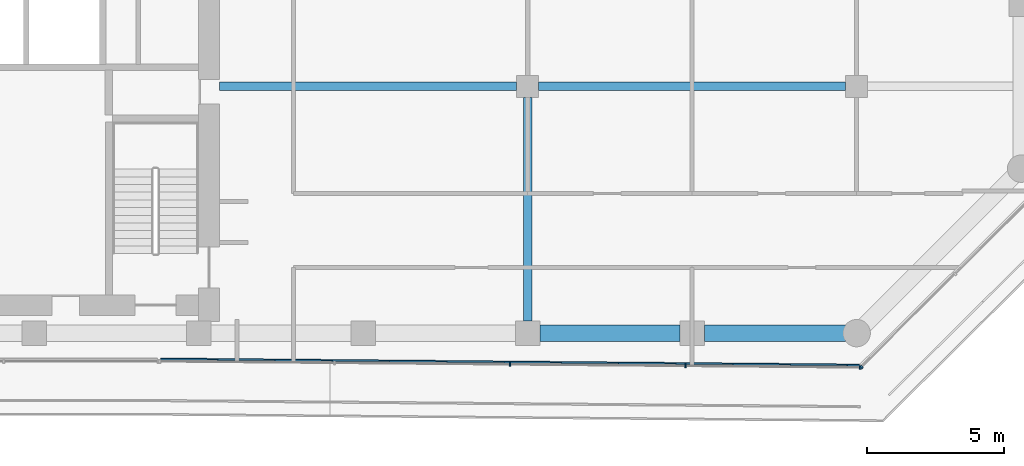
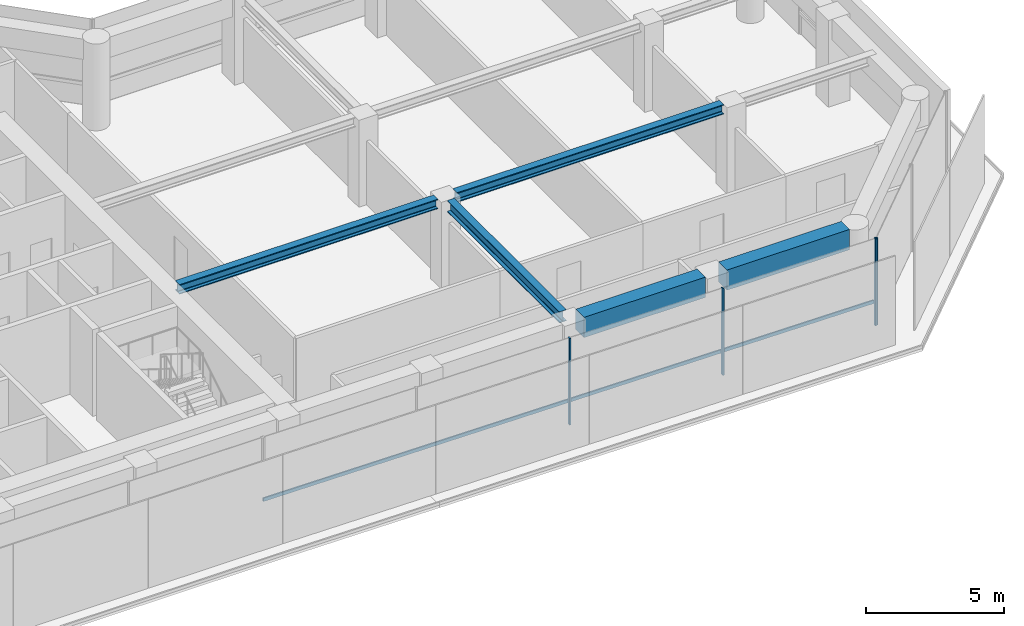
# One storey, part 6 of 23: 5 beams, 5 members, 2 elements without a shape of their own.
"""IFC4 building model written with IfcOpenShell, lengths in metres."""

import ifcopenshell
import ifcopenshell.guid

model = None  # the IFC model being written
_history = None  # IfcOwnerHistory: only IFC2X3 demands one
_inside = {}  # id of a spatial element -> (the spatial element, [elements in it])
_under = {}  # id of a project, library or spatial element -> (it, [spatial elements below it])
_declared = {}  # id of a project -> (the project, [libraries it declares])
_typed = {}  # id of a type object -> (the type object, [elements of that type])
_made_of = {}  # id of a material, layer set ... -> (it, [elements and type objects made of it])


def new_model(schema):
    """Start an empty IFC model of exactly this schema.

    Asked for "IFC4X3", IfcOpenShell would pick the latest addendum, in which some entities
    have other attributes; the version numbers below select the first issue.
    IFC2X3 requires an IfcOwnerHistory on every rooted entity: one is made here for all.
    """
    global model, _history
    if schema == "IFC4X3":
        model = ifcopenshell.file(schema_version=(4, 3, 0, 0))
    else:
        model = ifcopenshell.file(schema=schema)
    _inside.clear()
    _under.clear()
    _declared.clear()
    _typed.clear()
    _made_of.clear()
    _history = None
    if model.schema == "IFC2X3":
        org = make("IfcOrganization", Name="unknown")
        user = make(
            "IfcPersonAndOrganization",
            ThePerson=make("IfcPerson", FamilyName="unknown"),
            TheOrganization=org,
        )
        app = make(
            "IfcApplication",
            ApplicationDeveloper=org,
            Version="unknown",
            ApplicationFullName="unknown",
            ApplicationIdentifier="unknown",
        )
        _history = make(
            "IfcOwnerHistory",
            OwningUser=user,
            OwningApplication=app,
            ChangeAction="ADDED",
            CreationDate=0,
        )
    return model


def make(cls, **values):
    """One entity of the class cls with the attributes given. An attribute that is None is left unset."""
    return model.create_entity(
        cls, **{name: value for name, value in values.items() if value is not None}
    )


def rooted(cls, **values):
    """An entity with a GlobalId (a new one), such as an element, a storey or a relation."""
    return make(cls, GlobalId=ifcopenshell.guid.new(), OwnerHistory=_history, **values)


def si_unit(unit_type, name, prefix=None):
    """IfcSIUnit, for example si_unit("LENGTHUNIT", "METRE", prefix="MILLI")."""
    return make("IfcSIUnit", UnitType=unit_type, Prefix=prefix, Name=name)


def assignment(units):
    """IfcUnitAssignment: the units of a project."""
    return None if units is None else make("IfcUnitAssignment", Units=units)


def point(xyz):
    """IfcCartesianPoint."""
    return None if xyz is None else make("IfcCartesianPoint", Coordinates=xyz)


def direction(xyz):
    """IfcDirection."""
    return None if xyz is None else make("IfcDirection", DirectionRatios=xyz)


def frame(location, z_axis=None, x_axis=None):
    """IfcAxis2Placement3D, a coordinate frame: its origin and axes. An axis left out is left unset."""
    return make(
        "IfcAxis2Placement3D",
        Location=point(location),
        Axis=direction(z_axis),
        RefDirection=direction(x_axis),
    )


def frame_2d(location, x_axis=None):
    """IfcAxis2Placement2D, a coordinate frame in the plane: its origin and x axis."""
    return make(
        "IfcAxis2Placement2D", Location=point(location), RefDirection=direction(x_axis)
    )


def origin():
    """The frame at (0, 0, 0) with its axes left unset."""
    return frame((0.0, 0.0, 0.0))


def origin_2d():
    """The frame at (0, 0) in the plane with its x axis left unset."""
    return frame_2d((0.0, 0.0))


def place(relative_to, where):
    """IfcLocalPlacement: puts the frame where relative to a parent placement (None: the world)."""
    return make(
        "IfcLocalPlacement", PlacementRelTo=relative_to, RelativePlacement=where
    )


def context(
    kind, dimensions, precision=None, world=None, true_north=None, identifier=None
):
    """IfcGeometricRepresentationContext, for example the 3D "Model" context."""
    return make(
        "IfcGeometricRepresentationContext",
        ContextIdentifier=identifier,
        ContextType=kind,
        CoordinateSpaceDimension=dimensions,
        Precision=precision,
        WorldCoordinateSystem=world,
        TrueNorth=true_north,
    )


def subcontext(parent, identifier, kind, view, scale=None):
    """IfcGeometricRepresentationSubContext, for example "Body" below "Model"."""
    return make(
        "IfcGeometricRepresentationSubContext",
        ContextIdentifier=identifier,
        ContextType=kind,
        ParentContext=parent,
        TargetScale=scale,
        TargetView=view,
    )


def project(units=None, contexts=None):
    """IfcProject with its units and contexts."""
    return rooted(
        "IfcProject",
        Name="project",
        RepresentationContexts=contexts,
        UnitsInContext=assignment(units),
    )


def spatial(cls, under=None, at=None, **own):
    """A site, building, storey or space (cls), placed at a placement, below another one or the project."""
    s = rooted(cls, ObjectPlacement=at, **own)
    if under is not None:
        _under.setdefault(under.id(), (under, []))[1].append(s)
    return s


def profile(cls, at=None, kind="AREA", **sizes):
    """A parametric profile (cls). Its sizes go by their IFC names, for example OverallWidth=200.0."""
    return make(cls, ProfileType=kind, Position=at, **sizes)


def rectangle(**sizes):
    """IfcRectangleProfileDef."""
    return profile("IfcRectangleProfileDef", **sizes)


def i_section(**sizes):
    """IfcIShapeProfileDef."""
    return profile("IfcIShapeProfileDef", **sizes)


def extrude(swept, where, along, depth):
    """IfcExtrudedAreaSolid: the profile swept, set in the frame where, extruded along a direction by depth."""
    return make(
        "IfcExtrudedAreaSolid",
        SweptArea=swept,
        Position=where,
        ExtrudedDirection=direction(along),
        Depth=depth,
    )


def shape(context_of_items, identifier, shape_type, items):
    """IfcShapeRepresentation: the items that make up one representation, for example the "Body"."""
    return make(
        "IfcShapeRepresentation",
        ContextOfItems=context_of_items,
        RepresentationIdentifier=identifier,
        RepresentationType=shape_type,
        Items=items,
    )


def material(Name=None, Category=None):
    """IfcMaterial."""
    return make("IfcMaterial", Name=Name, Category=Category)


def layer(
    of_material, thickness, ventilated=None, Name=None, Category=None, Priority=None
):
    """IfcMaterialLayer: one layer of a wall or slab, of a material (None: an air gap)."""
    return make(
        "IfcMaterialLayer",
        Material=of_material,
        LayerThickness=thickness,
        IsVentilated=ventilated,
        Name=Name,
        Category=Category,
        Priority=Priority,
    )


def layer_set(layers, Name=None):
    """IfcMaterialLayerSet."""
    return make("IfcMaterialLayerSet", MaterialLayers=layers, LayerSetName=Name)


def material_profile(
    of_material, cross_section, Name=None, Category=None, Priority=None
):
    """IfcMaterialProfile: a cross section and its material."""
    return make(
        "IfcMaterialProfile",
        Name=Name,
        Material=of_material,
        Profile=cross_section,
        Priority=Priority,
        Category=Category,
    )


def profile_set(profiles, Name=None, composite=None):
    """IfcMaterialProfileSet."""
    return make(
        "IfcMaterialProfileSet",
        Name=Name,
        MaterialProfiles=profiles,
        CompositeProfile=composite,
    )


def made_of(thing, what):
    """Note that an element or type object is made of a material, layer set ...; save() writes the relation."""
    if what is not None:
        _made_of.setdefault(what.id(), (what, []))[1].append(thing)
    return thing


def type_object(cls, material=None, **own):
    """A type object (cls), such as IfcWallType, which elements share."""
    return made_of(rooted(cls, **own), material)


def element(
    cls,
    number,
    at=None,
    inside=None,
    cuts=None,
    type_object=None,
    material=None,
    context=None,
    identifier="Body",
    shape_type=None,
    held_by="IfcProductDefinitionShape",
    body=None,
    shapes=None,
    **own,
):
    """One element of the class cls, such as IfcWall. Its Tag is "e" and its number.

    at: its placement. inside: the storey or other place that contains it. cuts: it is an
    opening in that element (IfcRelVoidsElement). A single representation is given by context,
    identifier, shape_type and body (its items); several are given by shapes. held_by: the class
    of the entity that holds the representations. save() writes the other relations.
    """
    e = rooted(cls, Tag="e%d" % number, ObjectPlacement=at, **own)
    if body is not None:
        shapes = [shape(context, identifier, shape_type, body)]
    if shapes is not None:
        e.Representation = make(held_by, Representations=shapes)
    if inside is not None:
        _inside.setdefault(inside.id(), (inside, []))[1].append(e)
    if cuts is not None:
        rooted(
            "IfcRelVoidsElement", RelatingBuildingElement=cuts, RelatedOpeningElement=e
        )
    if type_object is not None:
        _typed.setdefault(type_object.id(), (type_object, []))[1].append(e)
    return made_of(e, material)


def aggregate(whole, parts):
    """IfcRelAggregates: a whole, such as a stair, and the parts it consists of."""
    return rooted("IfcRelAggregates", RelatingObject=whole, RelatedObjects=parts)


def save(model, path):
    """Write the relations noted so far, then the file.

    IfcRelAggregates (storeys below a building ...), IfcRelContainedInSpatialStructure (elements
    in a storey), IfcRelDefinesByType, IfcRelAssociatesMaterial and IfcRelDeclares: one each for
    every whole, place, type object, material and project.
    """
    for whole, parts in _under.values():
        aggregate(whole, parts)
    for where, things in _inside.values():
        rooted(
            "IfcRelContainedInSpatialStructure",
            RelatedElements=things,
            RelatingStructure=where,
        )
    for kind, things in _typed.values():
        rooted("IfcRelDefinesByType", RelatedObjects=things, RelatingType=kind)
    for what, things in _made_of.values():
        rooted("IfcRelAssociatesMaterial", RelatedObjects=things, RelatingMaterial=what)
    for by, libraries in _declared.values():
        rooted("IfcRelDeclares", RelatingContext=by, RelatedDefinitions=libraries)
    model.write(path)


model = new_model("IFC4")

# Units and contexts
model_context = context("Model", 3, precision=1e-05, world=origin(), true_north=direction((0.0, 1.0)))
body_context = subcontext(model_context, "Body", "Model", "MODEL_VIEW")
ifc_project = project(units=[si_unit("LENGTHUNIT", "METRE"), si_unit("AREAUNIT", "SQUARE_METRE"), si_unit("VOLUMEUNIT", "CUBIC_METRE"), si_unit("PLANEANGLEUNIT", "RADIAN"), si_unit("MASSUNIT", "GRAM", prefix="KILO")], contexts=[model_context])

# Site, building, storey
site_placement = place(None, origin())
site = spatial("IfcSite", under=ifc_project, at=site_placement, CompositionType="ELEMENT")
building_placement = place(site_placement, origin())
building = spatial("IfcBuilding", under=site, at=building_placement, Name="Welwitschia Terrace Campus", CompositionType="ELEMENT")
storey_placement = place(building_placement, frame((0.0, 0.0, 113.0)))
storey = spatial("IfcBuildingStorey", under=building, at=storey_placement, Name="L25", CompositionType="ELEMENT", Elevation=113.0)

# Beams
ifc_material_1 = material(Name="Steel S355", Category="steel")
ifc_material_profile_1 = material_profile(ifc_material_1, i_section(OverallWidth=0.306884765625, OverallDepth=0.431884765625, WebThickness=0.02099609375, FlangeThickness=0.0400390625, FilletRadius=0.027099609375, at=origin_2d()))
ifc_profile_set_1 = profile_set([ifc_material_profile_1], Name="Steel S355")
beam_type_1 = type_object("IfcBeamType", Name="Interior girder HE 400 M", PredefinedType="BEAM", material=ifc_profile_set_1)
beam_1_placement = place(storey_placement, frame((24.7509765625, 13.0, 3.634033203125), z_axis=(1.0, 0.0, 0.0), x_axis=(0.0, 1.0, 0.0)))
element("IfcBeam", 1, at=beam_1_placement, inside=storey, type_object=beam_type_1, Name="Girder GB3", PredefinedType="BEAM", context=body_context, shape_type="SweptSolid", body=[
    extrude(i_section(OverallWidth=0.306884765625, OverallDepth=0.431884765625, WebThickness=0.02099609375, FlangeThickness=0.0400390625, FilletRadius=0.027099609375, at=origin_2d()), origin(), (0.0, 0.0, 1.0), 10.8486328125),
])
beam_2_placement = place(storey_placement, frame((36.400390625, 13.0, 3.634033203125), z_axis=(1.0, 0.0, 0.0), x_axis=(0.0, 1.0, 0.0)))
element("IfcBeam", 2, at=beam_2_placement, inside=storey, type_object=beam_type_1, Name="Girder GB3", PredefinedType="BEAM", context=body_context, shape_type="SweptSolid", body=[
    extrude(i_section(OverallWidth=0.306884765625, OverallDepth=0.431884765625, WebThickness=0.02099609375, FlangeThickness=0.0400390625, FilletRadius=0.027099609375, at=origin_2d()), origin(), (0.0, 0.0, 1.0), 11.19921875),
])

# Curtain wall, members
ifc_material_2 = material(Name="Bronze anodised aluminium", Category="aluminium")
ifc_layer = layer(ifc_material_2, 0.1201171875)
ifc_layer_set = layer_set([ifc_layer], Name="Bronze anodised aluminium")
curtain_wall_type = type_object("IfcCurtainWallType", Name="Curtain wall CW2 tower 6000", PredefinedType="NOTDEFINED", material=ifc_layer_set)
curtain_wall_1_placement = place(storey_placement, origin())
curtain_wall_1 = element("IfcCurtainWall", 3, at=curtain_wall_1_placement, inside=storey, type_object=curtain_wall_type, Name="CW L25.5.0", PredefinedType="NOTDEFINED")
ifc_material_3 = material(Name="Bronze anodised aluminium", Category="aluminium")
ifc_material_profile_2 = material_profile(ifc_material_3, rectangle(XDim=0.1201171875, YDim=0.06005859375, at=origin_2d()))
ifc_profile_set_2 = profile_set([ifc_material_profile_2], Name="Bronze anodised aluminium")
member_type_1 = type_object("IfcMemberType", Name="Mullion 60x120", PredefinedType="MULLION", material=ifc_profile_set_2)
member_1_placement = place(storey_placement, frame((35.3544921875, 2.858154296875, 0.0), z_axis=(0.0, 0.0, 1.0), x_axis=(0.008726535498, 0.999961923064, 0.0)))
member_1 = element("IfcMember", 4, at=member_1_placement, type_object=member_type_1, Name="Mullion L25.5.0.2", PredefinedType="MULLION", context=body_context, shape_type="SweptSolid", body=[
    extrude(rectangle(XDim=0.1201171875, YDim=0.06005859375, at=origin_2d()), origin(), (0.0, 0.0, 1.0), 3.85009765625),
])
member_2_placement = place(storey_placement, frame((41.75830078125, 2.80224609375, 0.0), z_axis=(0.0, 0.0, 1.0), x_axis=(0.008726535498, 0.999961923064, 0.0)))
member_2 = element("IfcMember", 5, at=member_2_placement, type_object=member_type_1, Name="Mullion L25.5.0.3", PredefinedType="MULLION", context=body_context, shape_type="SweptSolid", body=[
    extrude(rectangle(XDim=0.1201171875, YDim=0.06005859375, at=origin_2d()), origin(), (0.0, 0.0, 1.0), 3.85009765625),
])
member_3_placement = place(storey_placement, frame((48.132080078125, 2.746826171875, 0.0), z_axis=(0.0, 0.0, 1.0), x_axis=(0.008726535498, 0.999961923064, 0.0)))
member_3 = element("IfcMember", 6, at=member_3_placement, type_object=member_type_1, Name="Mullion L25.5.0.4", PredefinedType="MULLION", context=body_context, shape_type="SweptSolid", body=[
    extrude(rectangle(XDim=0.1201171875, YDim=0.06005859375, at=origin_2d()), origin(), (0.0, 0.0, 1.0), 3.85009765625),
])

# Curtain wall, member
curtain_wall_2_placement = place(storey_placement, origin())
curtain_wall_2 = element("IfcCurtainWall", 7, at=curtain_wall_2_placement, inside=storey, type_object=curtain_wall_type, Name="CW L25.6.0", PredefinedType="NOTDEFINED")
member_4_placement = place(storey_placement, frame((48.183349609375, 2.767578125, 0.0), z_axis=(0.0, 0.0, 1.0), x_axis=(-0.704985430024, 0.70922178721, 0.0)))
member_4 = element("IfcMember", 8, at=member_4_placement, type_object=member_type_1, Name="Mullion L25.6.0.0", PredefinedType="MULLION", context=body_context, shape_type="SweptSolid", body=[
    extrude(rectangle(XDim=0.1201171875, YDim=0.06005859375, at=origin_2d()), origin(), (0.0, 0.0, 1.0), 3.85009765625),
])
aggregate(curtain_wall_2, [member_4])

# Beams
ifc_material_4 = material(Name="Steel S355", Category="steel")
ifc_material_profile_3 = material_profile(ifc_material_4, i_section(OverallWidth=0.300048828125, OverallDepth=0.5, WebThickness=0.014404296875, FlangeThickness=0.028076171875, FilletRadius=0.027099609375, at=origin_2d()))
ifc_profile_set_3 = profile_set([ifc_material_profile_3], Name="Steel S355")
beam_type_2 = type_object("IfcBeamType", Name="Primary beam HE 500 B", PredefinedType="BEAM", material=ifc_profile_set_3)
beam_3_placement = place(storey_placement, frame((36.0, 4.450439453125, 3.60009765625), z_axis=(0.0, 1.0, 0.0), x_axis=(-1.0, 0.0, 0.0)))
element("IfcBeam", 9, at=beam_3_placement, inside=storey, type_object=beam_type_2, Name="Primary beam PB3", PredefinedType="BEAM", context=body_context, shape_type="SweptSolid", body=[
    extrude(i_section(OverallWidth=0.300048828125, OverallDepth=0.5, WebThickness=0.014404296875, FlangeThickness=0.028076171875, FilletRadius=0.027099609375, at=origin_2d()), origin(), (0.0, 0.0, 1.0), 8.149169921875),
])
ifc_material_5 = material(Name="Concrete C60/75", Category="concrete")
ifc_material_profile_4 = material_profile(ifc_material_5, rectangle(XDim=0.60009765625, YDim=0.89990234375, at=origin_2d()))
ifc_profile_set_4 = profile_set([ifc_material_profile_4], Name="Concrete C60/75")
beam_type_3 = type_object("IfcBeamType", Name="Ring spandrel 600x900", PredefinedType="SPANDREL", material=ifc_profile_set_4)
beam_4_placement = place(storey_placement, frame((36.450439453125, 4.0, 3.39990234375), z_axis=(1.0, 0.0, 0.0), x_axis=(0.0, 1.0, 0.0)))
element("IfcBeam", 10, at=beam_4_placement, inside=storey, type_object=beam_type_3, Name="Spandrel SP2", PredefinedType="SPANDREL", context=body_context, shape_type="SweptSolid", body=[
    extrude(rectangle(XDim=0.60009765625, YDim=0.89990234375, at=origin_2d()), origin(), (0.0, 0.0, 1.0), 5.09912109375),
])
beam_5_placement = place(storey_placement, frame((42.450439453125, 4.0, 3.39990234375), z_axis=(1.0, 0.0, 0.0), x_axis=(0.0, 1.0, 0.0)))
element("IfcBeam", 11, at=beam_5_placement, inside=storey, type_object=beam_type_3, Name="Spandrel SP2", PredefinedType="SPANDREL", context=body_context, shape_type="SweptSolid", body=[
    extrude(rectangle(XDim=0.60009765625, YDim=0.89990234375, at=origin_2d()), origin(), (0.0, 0.0, 1.0), 5.149169921875),
])

# Member
ifc_material_6 = material(Name="Bronze anodised aluminium", Category="aluminium")
ifc_material_profile_5 = material_profile(ifc_material_6, rectangle(XDim=0.06005859375, YDim=0.14990234375, at=origin_2d()))
ifc_profile_set_5 = profile_set([ifc_material_profile_5], Name="Bronze anodised aluminium")
member_type_2 = type_object("IfcMemberType", Name="Transom 60x150", PredefinedType="USERDEFINED", material=ifc_profile_set_5)
member_5_placement = place(storey_placement, frame((22.60791015625, 3.0595703125, 1.0), z_axis=(0.999961867005, -0.008732956896, 0.0), x_axis=(0.008732956896, 0.999961867005, 0.0)))
member_5 = element("IfcMember", 12, at=member_5_placement, type_object=member_type_2, Name="Transom L25.5.0", ObjectType="TRANSOM", PredefinedType="USERDEFINED", context=body_context, shape_type="SweptSolid", body=[
    extrude(rectangle(XDim=0.06005859375, YDim=0.14990234375, at=origin_2d()), origin(), (0.0, 0.0, 1.0), 25.49609375),
])

aggregate(curtain_wall_1, [member_1, member_2, member_3, member_5])

save(model, "model.ifc")
